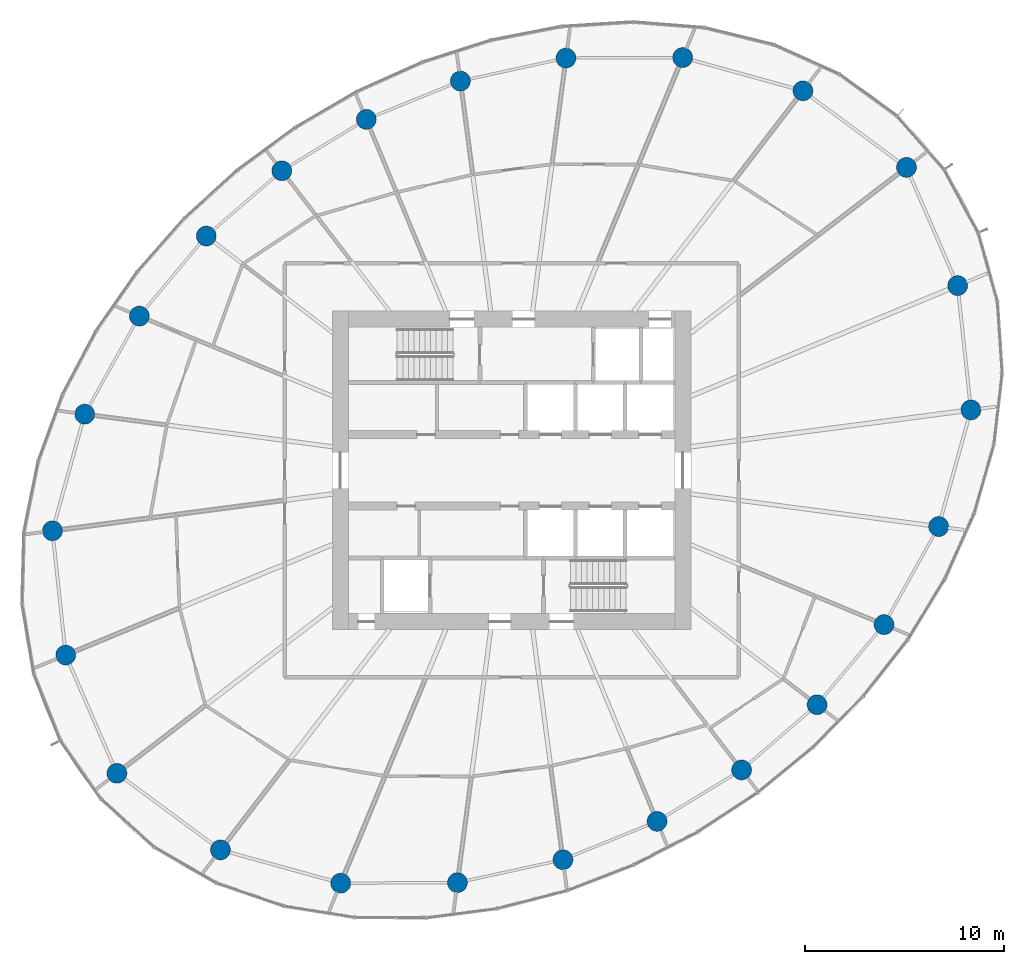
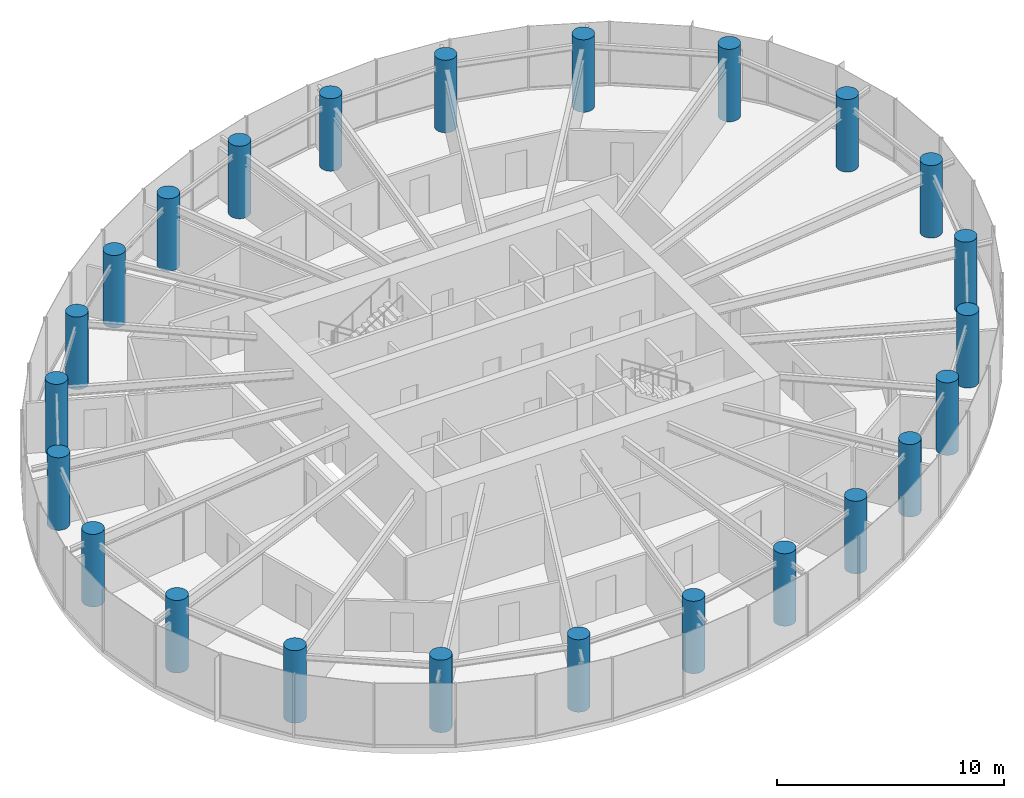
# One storey, part 1 of 15: 24 columns.
"""IFC4 building model written with IfcOpenShell, lengths in metres."""

from ifc_helpers import new_model, si_unit, direction, frame, origin, origin_2d, place, context, subcontext, project, spatial, circle, extrude, source, transform, mapped, material, material_profile, profile_set, type_object, element, save


model = new_model("IFC4")

# Units and contexts
model_context = context("Model", 3, precision=1e-05, world=origin(), true_north=direction((0.0, 1.0)))
body_context = subcontext(model_context, "Body", "Model", "MODEL_VIEW")
ifc_project = project(units=[si_unit("LENGTHUNIT", "METRE"), si_unit("AREAUNIT", "SQUARE_METRE"), si_unit("VOLUMEUNIT", "CUBIC_METRE"), si_unit("PLANEANGLEUNIT", "RADIAN"), si_unit("MASSUNIT", "GRAM", prefix="KILO")], contexts=[model_context])

# Site, building, storey
site_placement = place(None, origin())
site = spatial("IfcSite", under=ifc_project, at=site_placement, CompositionType="ELEMENT")
building_placement = place(site_placement, origin())
building = spatial("IfcBuilding", under=site, at=building_placement, Name="Spindrift Exchange Tower", CompositionType="ELEMENT")
storey_placement = place(building_placement, frame((0.0, 0.0, 176.0)))
storey = spatial("IfcBuildingStorey", under=building, at=storey_placement, Name="L42", CompositionType="ELEMENT", Elevation=176.0)

# Columns
ifc_material = material(Name="Concrete 50 MPa", Category="concrete")
ifc_material_profile = material_profile(ifc_material, circle(Radius=0.5, at=origin_2d()), Name="RC D1000")
ifc_profile_set = profile_set([ifc_material_profile], Name="Concrete 50 MPa")
column_type = type_object("IfcColumnType", Name="RC Perimeter Column D1000 Concrete 50 MPa", PredefinedType="COLUMN", material=ifc_profile_set)
shared_shape = source(origin(), body_context, "Body", "SweptSolid", [
    extrude(circle(Radius=0.5, at=origin_2d()), origin(), (0.0, 0.0, 1.0), 3.89990234375),
])
for number, where, z_axis, x_axis, name in (
    (1, (75.06201171875, 51.0361328125, 0.0), (0.0, 0.0, 1.0), (1.0, 0.0, 0.0), "Perimeter column P3-01 L42"),
    (2, (74.396728515625, 57.277099609375, 0.0), (0.0, 0.0, 1.0), (1.0, 0.0, 0.0), "Perimeter column P3-02 L42"),
    (3, (71.825927734375, 63.212890625, 0.0), (0.0, 0.0, 1.0), (1.0, 0.0, 0.0), "Perimeter column P3-03 L42"),
    (4, (66.625, 67.0595703125, 0.0), (0.0, 0.0, 1.0), (1.0, 0.0, 0.0), "Perimeter column P3-04 L42"),
    (5, (60.5869140625, 68.73095703125, 0.0), (0.0, 0.0, 1.0), (1.0, 0.0, 0.0), "Perimeter column P3-05 L42"),
    (6, (54.725830078125, 68.705322265625, 0.0), (0.0, 0.0, 1.0), (1.0, 0.0, 0.0), "Perimeter column P3-06 L42"),
    (7, (49.426025390625, 67.55126953125, 0.0), (0.0, 0.0, 1.0), (1.0, 0.0, 0.0), "Perimeter column P3-07 L42"),
    (8, (44.69921875, 65.625732421875, 0.0), (0.0, 0.0, 1.0), (1.0, 0.0, 0.0), "Perimeter column P3-08 L42"),
    (9, (40.4560546875, 63.04443359375, 0.0), (0.0, 0.0, 1.0), (1.0, 0.0, 0.0), "Perimeter column P3-09 L42"),
    (10, (36.663818359375, 59.76806640625, 0.0), (0.0, 0.0, 1.0), (1.0, 0.0, 0.0), "Perimeter column P3-10 L42"),
    (11, (33.30078125, 55.74560546875, 0.0), (0.0, 0.0, 1.0), (1.0, 0.0, 0.0), "Perimeter column P3-11 L42"),
    (12, (30.55908203125, 50.82275390625, 0.0), (0.0, 0.0, 1.0), (1.0, 0.0, 0.0), "Perimeter column P3-12 L42"),
    (13, (28.93798828125, 44.9638671875, 0.0), (0.0, 0.0, 1.0), (1.0, 0.0, 0.0), "Perimeter column P3-13 L42"),
    (14, (29.603271484375, 38.722900390625, 0.0), (0.0, 0.0, 1.0), (1.0, 0.0, 0.0), "Perimeter column P3-14 L42"),
    (15, (32.174072265625, 32.787109375, 0.0), (0.0, 0.0, 1.0), (1.0, 0.0, 0.0), "Perimeter column P3-15 L42"),
    (16, (37.375, 28.9404296875, 0.0), (0.0, 0.0, 1.0), (1.0, 0.0, 0.0), "Perimeter column P3-16 L42"),
    (17, (43.4130859375, 27.26904296875, 0.0), (0.0, 0.0, 1.0), (1.0, 0.0, 0.0), "Perimeter column P3-17 L42"),
    (18, (49.274169921875, 27.294677734375, 0.0), (0.0, 0.0, 1.0), (1.0, 0.0, 0.0), "Perimeter column P3-18 L42"),
    (19, (54.573974609375, 28.44873046875, 0.0), (0.0, 0.0, 1.0), (1.0, 0.0, 0.0), "Perimeter column P3-19 L42"),
    (20, (59.30078125, 30.374267578125, 0.0), (0.0, 0.0, 1.0), (1.0, 0.0, 0.0), "Perimeter column P3-20 L42"),
    (21, (63.5439453125, 32.95556640625, 0.0), (0.0, 0.0, 1.0), (1.0, 0.0, 0.0), "Perimeter column P3-21 L42"),
    (22, (67.336181640625, 36.23193359375, 0.0), (0.0, 0.0, 1.0), (1.0, 0.0, 0.0), "Perimeter column P3-22 L42"),
    (23, (70.69921875, 40.25439453125, 0.0), (0.0, 0.0, 1.0), (1.0, 0.0, 0.0), "Perimeter column P3-23 L42"),
    (24, (73.44091796875, 45.17724609375, 0.0), (0.0, 0.0, 1.0), (1.0, 0.0, 0.0), "Perimeter column P3-24 L42"),
):
    element("IfcColumn", number, at=place(storey_placement, frame(where, z_axis=z_axis, x_axis=x_axis)), inside=storey, type_object=column_type, Name=name, PredefinedType="COLUMN", context=body_context, shape_type="MappedRepresentation", body=[
        mapped(shared_shape, transform((0.0, 0.0, 0.0), scale=1.0)),
    ])

save(model, "model.ifc")
